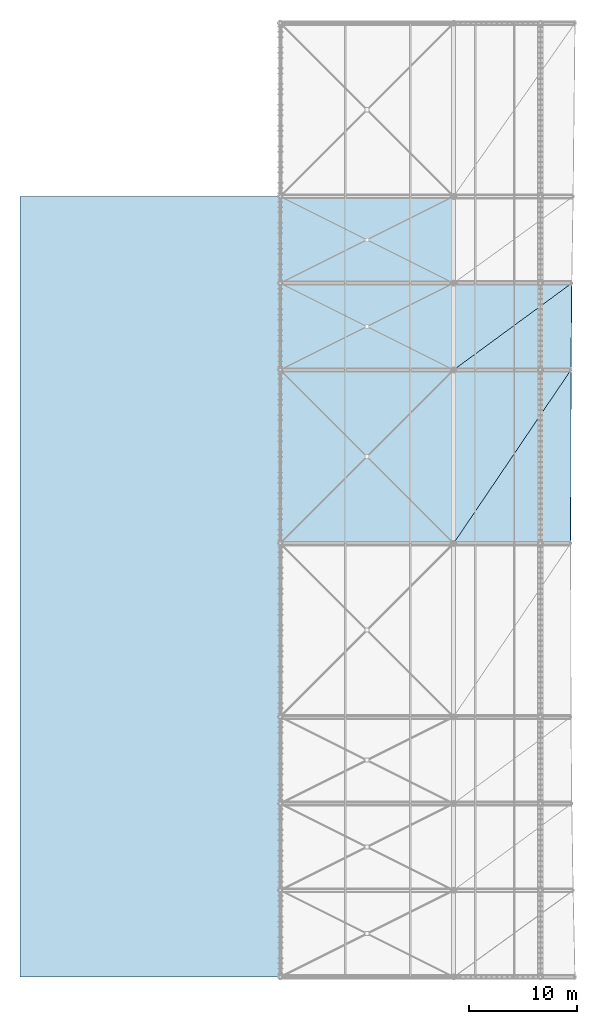
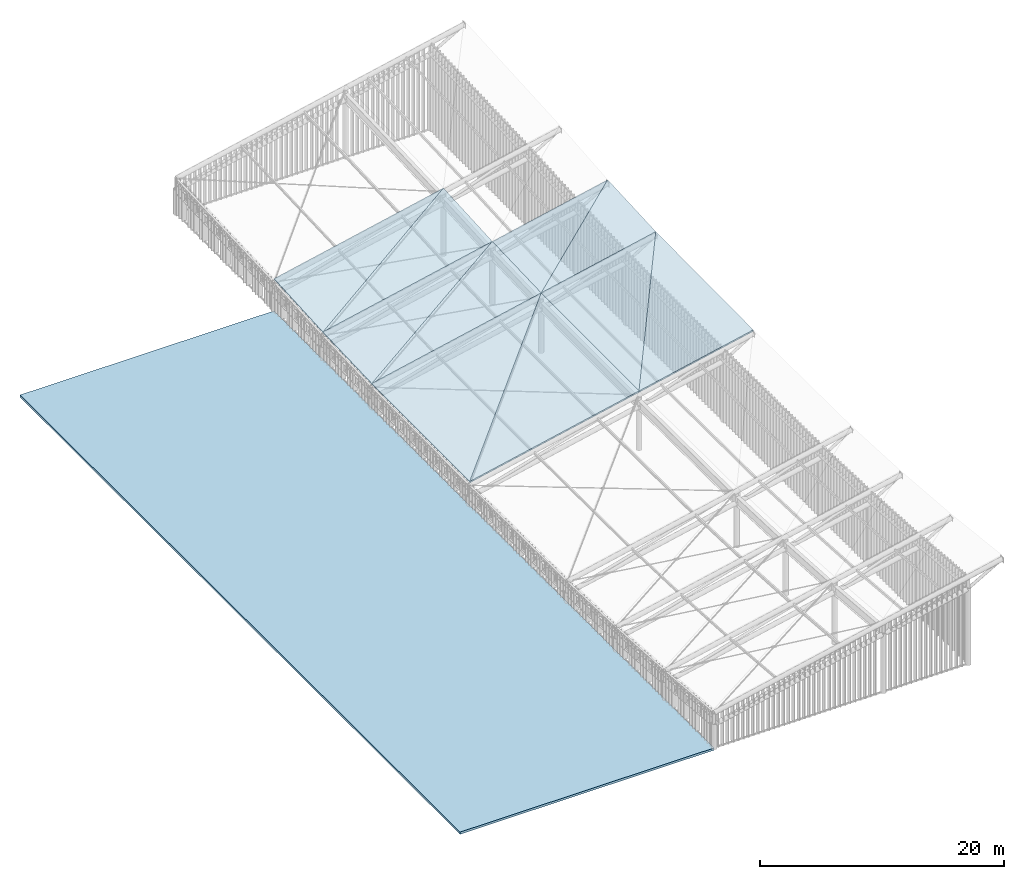
# One storey, part 18 of 25: 11 slabs.
"""IFC4 building model written with IfcOpenShell, lengths in metres."""

import ifcopenshell
import ifcopenshell.guid

model = None  # the IFC model being written
_history = None  # IfcOwnerHistory: only IFC2X3 demands one
_inside = {}  # id of a spatial element -> (the spatial element, [elements in it])
_under = {}  # id of a project, library or spatial element -> (it, [spatial elements below it])
_declared = {}  # id of a project -> (the project, [libraries it declares])
_typed = {}  # id of a type object -> (the type object, [elements of that type])
_made_of = {}  # id of a material, layer set ... -> (it, [elements and type objects made of it])


def new_model(schema):
    """Start an empty IFC model of exactly this schema.

    Asked for "IFC4X3", IfcOpenShell would pick the latest addendum, in which some entities
    have other attributes; the version numbers below select the first issue.
    IFC2X3 requires an IfcOwnerHistory on every rooted entity: one is made here for all.
    """
    global model, _history
    if schema == "IFC4X3":
        model = ifcopenshell.file(schema_version=(4, 3, 0, 0))
    else:
        model = ifcopenshell.file(schema=schema)
    _inside.clear()
    _under.clear()
    _declared.clear()
    _typed.clear()
    _made_of.clear()
    _history = None
    if model.schema == "IFC2X3":
        org = make("IfcOrganization", Name="unknown")
        user = make(
            "IfcPersonAndOrganization",
            ThePerson=make("IfcPerson", FamilyName="unknown"),
            TheOrganization=org,
        )
        app = make(
            "IfcApplication",
            ApplicationDeveloper=org,
            Version="unknown",
            ApplicationFullName="unknown",
            ApplicationIdentifier="unknown",
        )
        _history = make(
            "IfcOwnerHistory",
            OwningUser=user,
            OwningApplication=app,
            ChangeAction="ADDED",
            CreationDate=0,
        )
    return model


def make(cls, **values):
    """One entity of the class cls with the attributes given. An attribute that is None is left unset."""
    return model.create_entity(
        cls, **{name: value for name, value in values.items() if value is not None}
    )


def rooted(cls, **values):
    """An entity with a GlobalId (a new one), such as an element, a storey or a relation."""
    return make(cls, GlobalId=ifcopenshell.guid.new(), OwnerHistory=_history, **values)


def si_unit(unit_type, name, prefix=None):
    """IfcSIUnit, for example si_unit("LENGTHUNIT", "METRE", prefix="MILLI")."""
    return make("IfcSIUnit", UnitType=unit_type, Prefix=prefix, Name=name)


def assignment(units):
    """IfcUnitAssignment: the units of a project."""
    return None if units is None else make("IfcUnitAssignment", Units=units)


def point(xyz):
    """IfcCartesianPoint."""
    return None if xyz is None else make("IfcCartesianPoint", Coordinates=xyz)


def direction(xyz):
    """IfcDirection."""
    return None if xyz is None else make("IfcDirection", DirectionRatios=xyz)


def frame(location, z_axis=None, x_axis=None):
    """IfcAxis2Placement3D, a coordinate frame: its origin and axes. An axis left out is left unset."""
    return make(
        "IfcAxis2Placement3D",
        Location=point(location),
        Axis=direction(z_axis),
        RefDirection=direction(x_axis),
    )


def origin():
    """The frame at (0, 0, 0) with its axes left unset."""
    return frame((0.0, 0.0, 0.0))


def place(relative_to, where):
    """IfcLocalPlacement: puts the frame where relative to a parent placement (None: the world)."""
    return make(
        "IfcLocalPlacement", PlacementRelTo=relative_to, RelativePlacement=where
    )


def context(
    kind, dimensions, precision=None, world=None, true_north=None, identifier=None
):
    """IfcGeometricRepresentationContext, for example the 3D "Model" context."""
    return make(
        "IfcGeometricRepresentationContext",
        ContextIdentifier=identifier,
        ContextType=kind,
        CoordinateSpaceDimension=dimensions,
        Precision=precision,
        WorldCoordinateSystem=world,
        TrueNorth=true_north,
    )


def subcontext(parent, identifier, kind, view, scale=None):
    """IfcGeometricRepresentationSubContext, for example "Body" below "Model"."""
    return make(
        "IfcGeometricRepresentationSubContext",
        ContextIdentifier=identifier,
        ContextType=kind,
        ParentContext=parent,
        TargetScale=scale,
        TargetView=view,
    )


def project(units=None, contexts=None):
    """IfcProject with its units and contexts."""
    return rooted(
        "IfcProject",
        Name="project",
        RepresentationContexts=contexts,
        UnitsInContext=assignment(units),
    )


def spatial(cls, under=None, at=None, **own):
    """A site, building, storey or space (cls), placed at a placement, below another one or the project."""
    s = rooted(cls, ObjectPlacement=at, **own)
    if under is not None:
        _under.setdefault(under.id(), (under, []))[1].append(s)
    return s


def polyline(points):
    """IfcPolyline through the points."""
    return make("IfcPolyline", Points=[point(p) for p in points])


def outline(outer, holes=None, kind="AREA"):
    """IfcArbitraryClosedProfileDef: a profile drawn as a closed curve; with holes, ...WithVoids."""
    if holes is None:
        return make("IfcArbitraryClosedProfileDef", ProfileType=kind, OuterCurve=outer)
    return make(
        "IfcArbitraryProfileDefWithVoids",
        ProfileType=kind,
        OuterCurve=outer,
        InnerCurves=holes,
    )


def extrude(swept, where, along, depth):
    """IfcExtrudedAreaSolid: the profile swept, set in the frame where, extruded along a direction by depth."""
    return make(
        "IfcExtrudedAreaSolid",
        SweptArea=swept,
        Position=where,
        ExtrudedDirection=direction(along),
        Depth=depth,
    )


def shape(context_of_items, identifier, shape_type, items):
    """IfcShapeRepresentation: the items that make up one representation, for example the "Body"."""
    return make(
        "IfcShapeRepresentation",
        ContextOfItems=context_of_items,
        RepresentationIdentifier=identifier,
        RepresentationType=shape_type,
        Items=items,
    )


def material(Name=None, Category=None):
    """IfcMaterial."""
    return make("IfcMaterial", Name=Name, Category=Category)


def layer(
    of_material, thickness, ventilated=None, Name=None, Category=None, Priority=None
):
    """IfcMaterialLayer: one layer of a wall or slab, of a material (None: an air gap)."""
    return make(
        "IfcMaterialLayer",
        Material=of_material,
        LayerThickness=thickness,
        IsVentilated=ventilated,
        Name=Name,
        Category=Category,
        Priority=Priority,
    )


def layer_set(layers, Name=None):
    """IfcMaterialLayerSet."""
    return make("IfcMaterialLayerSet", MaterialLayers=layers, LayerSetName=Name)


def made_of(thing, what):
    """Note that an element or type object is made of a material, layer set ...; save() writes the relation."""
    if what is not None:
        _made_of.setdefault(what.id(), (what, []))[1].append(thing)
    return thing


def type_object(cls, material=None, **own):
    """A type object (cls), such as IfcWallType, which elements share."""
    return made_of(rooted(cls, **own), material)


def element(
    cls,
    number,
    at=None,
    inside=None,
    cuts=None,
    type_object=None,
    material=None,
    context=None,
    identifier="Body",
    shape_type=None,
    held_by="IfcProductDefinitionShape",
    body=None,
    shapes=None,
    **own,
):
    """One element of the class cls, such as IfcWall. Its Tag is "e" and its number.

    at: its placement. inside: the storey or other place that contains it. cuts: it is an
    opening in that element (IfcRelVoidsElement). A single representation is given by context,
    identifier, shape_type and body (its items); several are given by shapes. held_by: the class
    of the entity that holds the representations. save() writes the other relations.
    """
    e = rooted(cls, Tag="e%d" % number, ObjectPlacement=at, **own)
    if body is not None:
        shapes = [shape(context, identifier, shape_type, body)]
    if shapes is not None:
        e.Representation = make(held_by, Representations=shapes)
    if inside is not None:
        _inside.setdefault(inside.id(), (inside, []))[1].append(e)
    if cuts is not None:
        rooted(
            "IfcRelVoidsElement", RelatingBuildingElement=cuts, RelatedOpeningElement=e
        )
    if type_object is not None:
        _typed.setdefault(type_object.id(), (type_object, []))[1].append(e)
    return made_of(e, material)


def aggregate(whole, parts):
    """IfcRelAggregates: a whole, such as a stair, and the parts it consists of."""
    return rooted("IfcRelAggregates", RelatingObject=whole, RelatedObjects=parts)


def save(model, path):
    """Write the relations noted so far, then the file.

    IfcRelAggregates (storeys below a building ...), IfcRelContainedInSpatialStructure (elements
    in a storey), IfcRelDefinesByType, IfcRelAssociatesMaterial and IfcRelDeclares: one each for
    every whole, place, type object, material and project.
    """
    for whole, parts in _under.values():
        aggregate(whole, parts)
    for where, things in _inside.values():
        rooted(
            "IfcRelContainedInSpatialStructure",
            RelatedElements=things,
            RelatingStructure=where,
        )
    for kind, things in _typed.values():
        rooted("IfcRelDefinesByType", RelatedObjects=things, RelatingType=kind)
    for what, things in _made_of.values():
        rooted("IfcRelAssociatesMaterial", RelatedObjects=things, RelatingMaterial=what)
    for by, libraries in _declared.values():
        rooted("IfcRelDeclares", RelatingContext=by, RelatedDefinitions=libraries)
    model.write(path)


model = new_model("IFC4")

# Units and contexts
model_context = context("Model", 3, precision=1e-05, world=origin(), true_north=direction((0.0, 1.0)))
body_context = subcontext(model_context, "Body", "Model", "MODEL_VIEW")
ifc_project = project(units=[si_unit("LENGTHUNIT", "METRE"), si_unit("AREAUNIT", "SQUARE_METRE"), si_unit("VOLUMEUNIT", "CUBIC_METRE"), si_unit("PLANEANGLEUNIT", "RADIAN"), si_unit("MASSUNIT", "GRAM", prefix="KILO")], contexts=[model_context])

# Site, building, storey
site_placement = place(None, origin())
site = spatial("IfcSite", under=ifc_project, at=site_placement, CompositionType="ELEMENT")
building_placement = place(site_placement, origin())
building = spatial("IfcBuilding", under=site, at=building_placement, Name="Haebicheon Civic Stadium", CompositionType="ELEMENT")
storey_placement = place(building_placement, frame((0.0, 0.0, 31.199951171875)))
storey = spatial("IfcBuildingStorey", under=building, at=storey_placement, Name="RF", CompositionType="ELEMENT", Elevation=31.199951171875)

# Slabs
ifc_material_1 = material(Name="White painted steel SM490", Category="steel")
ifc_layer_1 = layer(ifc_material_1, 0.159912109375, Name="White painted steel SM490")
ifc_layer_set_1 = layer_set([ifc_layer_1], Name="White painted steel SM490")
slab_type_1 = type_object("IfcSlabType", Name="SLB-CAN-160", PredefinedType="ROOF", material=ifc_layer_set_1)
slab_1_placement = place(storey_placement, frame((48.0, 88.0, 2.360107421875), z_axis=(-0.210189675156, -0.005862636078, 0.977643048334), x_axis=(0.977659849808, 0.0, 0.210193287411)))
element("IfcSlab", 1, at=slab_1_placement, inside=storey, type_object=slab_type_1, material=ifc_layer_set_1, Name="CAN-WEST curled canopy facet 5.BS-A", PredefinedType="ROOF", context=body_context, shape_type="SweptSolid", body=[
    extrude(outline(polyline([(0.0, 0.0), (16.36561018961509, 3.469446951953614e-18), (16.38577766079495, 16.000274971102435), (0.0, 0.0)])), origin(), (0.0, 0.0, -1.0), 0.159912109375),
])
slab_2_placement = place(storey_placement, frame((48.0, 88.0, 2.360107421875), z_axis=(-0.210189675156, -0.005862636078, 0.977643048334), x_axis=(0.698628338181, 0.698628338181, 0.154392001677)))
element("IfcSlab", 2, at=slab_2_placement, inside=storey, type_object=slab_type_1, material=ifc_layer_set_1, Name="CAN-WEST curled canopy facet 5.BS-B", PredefinedType="ROOF", context=body_context, shape_type="SweptSolid", body=[
    extrude(outline(polyline([(0.0, 0.0), (22.902019751539253, 0.0), (11.192866901286827, 11.43367554235552), (0.0, 0.0)])), origin(), (0.0, 0.0, -1.0), 0.159912109375),
])
slab_3_placement = place(storey_placement, frame((64.0, 88.0, 5.800048828125), z_axis=(-0.210194064858, -0.005848755968, 0.97764218769), x_axis=(0.977658909685, 0.0, 0.210197660104)))
element("IfcSlab", 3, at=slab_3_placement, inside=storey, type_object=slab_type_1, material=ifc_layer_set_1, Name="CAN-WEST curled canopy facet 5.CT-A", PredefinedType="ROOF", context=body_context, shape_type="SweptSolid", body=[
    extrude(outline(polyline([(0.0, 0.0), (11.046847444578171, 0.0), (11.09243900709548, 16.000273670592243), (0.0, 0.0)])), origin(), (0.0, 0.0, -1.0), 0.159912109375),
])
slab_4_placement = place(storey_placement, frame((64.0, 88.0, 5.800048828125), z_axis=(-0.210174445634, -0.005862655711, 0.977646322384), x_axis=(0.556003013242, 0.821809546354, 0.124457698785)))
element("IfcSlab", 4, at=slab_4_placement, inside=storey, type_object=slab_type_1, material=ifc_layer_set_1, Name="CAN-WEST curled canopy facet 5.CT-B", PredefinedType="ROOF", context=body_context, shape_type="SweptSolid", body=[
    extrude(outline(polyline([(0.0, 0.0), (19.469231126574588, 2.3869795029440866e-15), (13.160894117555427, 9.099454483883957), (0.0, 0.0)])), origin(), (0.0, 0.0, -1.0), 0.159912109375),
])
slab_5_placement = place(storey_placement, frame((48.0, 104.0, 2.4560546875), z_axis=(-0.210062260137, -0.035303579276, 0.977050410243), x_axis=(0.977659849808, 0.0, 0.210193287411)))
element("IfcSlab", 5, at=slab_5_placement, inside=storey, type_object=slab_type_1, material=ifc_layer_set_1, Name="CAN-WEST curled canopy facet 6.BS-A", PredefinedType="ROOF", context=body_context, shape_type="SweptSolid", body=[
    extrude(outline(polyline([(0.0, 0.0), (16.36561018961509, 1.3877787807814457e-17), (16.42636918675747, 8.004990035794703), (0.0, 0.0)])), origin(), (0.0, 0.0, -1.0), 0.159912109375),
])
slab_6_placement = place(storey_placement, frame((48.0, 104.0, 2.4560546875), z_axis=(-0.210062260137, -0.035303579276, 0.977050410243), x_axis=(0.875604965447, 0.437802482723, 0.20407089603)))
element("IfcSlab", 6, at=slab_6_placement, inside=storey, type_object=slab_type_1, material=ifc_layer_set_1, Name="CAN-WEST curled canopy facet 6.BS-B", PredefinedType="ROOF", context=body_context, shape_type="SweptSolid", body=[
    extrude(outline(polyline([(0.0, 0.0), (18.273080477380592, -3.3306690738754696e-16), (3.561409105170163, 7.169373913705249), (0.0, 0.0)])), origin(), (0.0, 0.0, -1.0), 0.159912109375),
])
slab_7_placement = place(storey_placement, frame((64.0, 104.0, 5.89599609375), z_axis=(-0.21004725976, -0.035273950748, 0.977054705257), x_axis=(0.977663124027, 0.0, 0.210178057652)))
element("IfcSlab", 7, at=slab_7_placement, inside=storey, type_object=slab_type_1, material=ifc_layer_set_1, Name="CAN-WEST curled canopy facet 6.CT-A", PredefinedType="ROOF", context=body_context, shape_type="SweptSolid", body=[
    extrude(outline(polyline([(0.0, 0.0), (11.07227111859336, 1.3877787807814457e-17), (11.209638055381275, 8.004981655712722), (0.0, 0.0)])), origin(), (0.0, 0.0, -1.0), 0.159912109375),
])
slab_8_placement = place(storey_placement, frame((64.0, 104.0, 5.89599609375), z_axis=(-0.210026143515, -0.035303859455, 0.977058164363), x_axis=(0.79131256346, 0.580785066511, 0.191084100405)))
element("IfcSlab", 8, at=slab_8_placement, inside=storey, type_object=slab_type_1, material=ifc_layer_set_1, Name="CAN-WEST curled canopy facet 6.CT-B", PredefinedType="ROOF", context=body_context, shape_type="SweptSolid", body=[
    extrude(outline(polyline([(0.0, 0.0), (13.774458851110966, 2.220446049250313e-16), (4.701515779863815, 6.47914396356477), (0.0, 0.0)])), origin(), (0.0, 0.0, -1.0), 0.159912109375),
])
slab_9_placement = place(storey_placement, frame((48.0, 112.0, 2.7451171875), z_axis=(-0.209831149906, -0.058675282515, 0.975975460629), x_axis=(0.977659849808, 0.0, 0.210193287411)))
element("IfcSlab", 9, at=slab_9_placement, inside=storey, type_object=slab_type_1, material=ifc_layer_set_1, Name="CAN-WEST curled canopy facet 7.BS-A", PredefinedType="ROOF", context=body_context, shape_type="SweptSolid", body=[
    extrude(outline(polyline([(0.0, 0.0), (16.36561018961509, 2.7755575615628914e-17), (16.46670412911719, 8.013806815821352), (0.0, 0.0)])), origin(), (0.0, 0.0, -1.0), 0.159912109375),
])
slab_10_placement = place(storey_placement, frame((48.0, 112.0, 2.7451171875), z_axis=(-0.209831149906, -0.058675282515, 0.975975460629), x_axis=(0.873686543823, 0.436843271911, 0.214102262784)))
element("IfcSlab", 10, at=slab_10_placement, inside=storey, type_object=slab_type_1, material=ifc_layer_set_1, Name="CAN-WEST curled canopy facet 7.BS-B", PredefinedType="ROOF", context=body_context, shape_type="SweptSolid", body=[
    extrude(outline(polyline([(0.0, 0.0), (18.313204104066276, -4.163336342344337e-16), (3.597720163982852, 7.161545174582089), (0.0, 0.0)])), origin(), (0.0, 0.0, -1.0), 0.159912109375),
])
ifc_material_2 = material(Name="Concrete C40/50", Category="concrete")
ifc_layer_2 = layer(ifc_material_2, 0.219970703125, Name="Concrete C40/50")
ifc_layer_set_2 = layer_set([ifc_layer_2], Name="Concrete C40/50")
slab_type_2 = type_object("IfcSlabType", Name="SLB-ROOF-220", PredefinedType="ROOF", material=ifc_layer_set_2)
slab_11_placement = place(storey_placement, frame((0.0, 0.0, -0.219970703125)))
element("IfcSlab", 11, at=slab_11_placement, inside=storey, type_object=slab_type_2, material=ifc_layer_set_2, Name="West grandstand media wing roof slab 1", PredefinedType="ROOF", context=body_context, shape_type="SweptSolid", body=[
    extrude(outline(polyline([(24.0, 64.0), (24.0, 72.0), (24.0, 80.0), (24.0, 88.0), (24.0, 96.0), (24.0, 104.0), (24.0, 112.0), (24.0, 120.0), (32.0, 120.0), (40.0, 120.0), (48.0, 120.0), (48.0, 112.0), (48.0, 104.0), (48.0, 96.0), (48.0, 88.0), (48.0, 80.0), (48.0, 72.0), (48.0, 64.0), (48.0, 56.0), (48.0, 48.0), (40.0, 48.0), (32.0, 48.0), (24.0, 48.0), (24.0, 56.0), (24.0, 64.0)])), origin(), (0.0, 0.0, 1.0), 0.219970703125),
])

save(model, "model.ifc")
